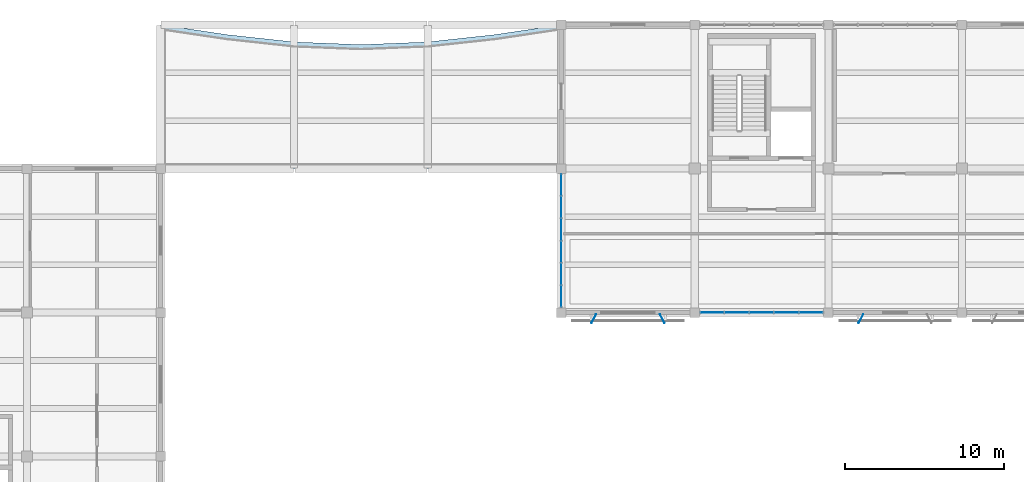
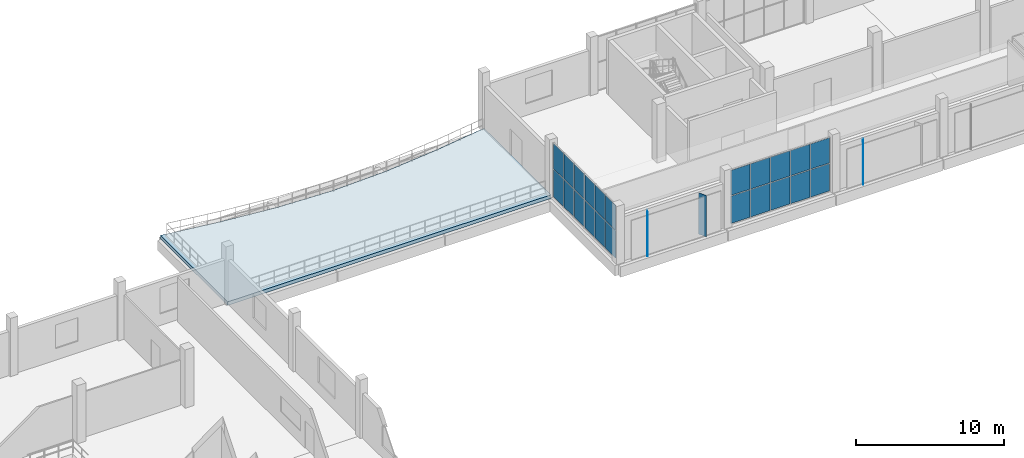
# One storey, part 50 of 80: 25 plates, 1 slab, 2 elements without a shape of their own.
"""IFC4 building model written with IfcOpenShell, lengths in metres."""

from ifc_helpers import new_model, si_unit, direction, frame, origin, origin_2d, place, context, subcontext, project, spatial, polyline, rectangle, outline, extrude, material, layer, layer_set, type_object, element, aggregate, save


model = new_model("IFC4")

# Units and contexts
model_context = context("Model", 3, precision=1e-05, world=origin(), true_north=direction((0.0, 1.0)))
body_context = subcontext(model_context, "Body", "Model", "MODEL_VIEW")
ifc_project = project(units=[si_unit("LENGTHUNIT", "METRE"), si_unit("AREAUNIT", "SQUARE_METRE"), si_unit("VOLUMEUNIT", "CUBIC_METRE"), si_unit("PLANEANGLEUNIT", "RADIAN"), si_unit("MASSUNIT", "GRAM", prefix="KILO")], contexts=[model_context])

# Site, building, storey
site_placement = place(None, origin())
site = spatial("IfcSite", under=ifc_project, at=site_placement, CompositionType="ELEMENT")
building_placement = place(site_placement, origin())
building = spatial("IfcBuilding", under=site, at=building_placement, Name="Khurvash Pelagic Aquarium", CompositionType="ELEMENT")
storey_placement = place(building_placement, frame((0.0, 0.0, 10.800048828125)))
storey = spatial("IfcBuildingStorey", under=building, at=storey_placement, Name="L02", CompositionType="ELEMENT", Elevation=10.800048828125)

# Curtain wall, plates
ifc_material_1 = material(Name="Anodised aluminium and low-E laminated glass", Category="aluminium")
curtain_wall_type_1 = type_object("IfcCurtainWallType", Name="CW-03", PredefinedType="USERDEFINED", material=ifc_material_1)
curtain_wall_1_placement = place(storey_placement, origin())
curtain_wall_1 = element("IfcCurtainWall", 1, at=curtain_wall_1_placement, inside=storey, type_object=curtain_wall_type_1, Name="L02 Facade Unitised Curtain Wall CW-03 0169", ObjectType="UNITISED CURTAIN WALL", PredefinedType="USERDEFINED")
ifc_material_2 = material(Name="Low-E laminated double glazing", Category="glass")
ifc_layer_1 = layer(ifc_material_2, 0.028076171875)
ifc_layer_set_1 = layer_set([ifc_layer_1], Name="Low-E laminated double glazing")
plate_type_1 = type_object("IfcPlateType", Name="CG-03", PredefinedType="CURTAIN_PANEL", material=ifc_layer_set_1)
plate_1_placement = place(storey_placement, frame((58.800048828125, 92.07666015625, 0.06005859375), z_axis=(0.0, 0.0, 1.0), x_axis=(0.0, -1.0, 0.0)))
plate_1 = element("IfcPlate", 2, at=plate_1_placement, type_object=plate_type_1, Name="CW-03 panel 1.1", PredefinedType="CURTAIN_PANEL", context=body_context, shape_type="SweptSolid", body=[
    extrude(rectangle(XDim=1.316650390625, YDim=0.028076171875, at=origin_2d()), origin(), (0.0, 0.0, 1.0), 2.25),
])
plate_2_placement = place(storey_placement, frame((58.800048828125, 92.07666015625, 2.3701171875), z_axis=(0.0, 0.0, 1.0), x_axis=(0.0, -1.0, 0.0)))
plate_2 = element("IfcPlate", 3, at=plate_2_placement, type_object=plate_type_1, Name="CW-03 panel 1.2", PredefinedType="CURTAIN_PANEL", context=body_context, shape_type="SweptSolid", body=[
    extrude(rectangle(XDim=1.316650390625, YDim=0.028076171875, at=origin_2d()), origin(), (0.0, 0.0, 1.0), 2.070068359375),
])
plate_3_placement = place(storey_placement, frame((58.800048828125, 90.68505859375, 0.06005859375), z_axis=(0.0, 0.0, 1.0), x_axis=(0.0, -1.0, 0.0)))
plate_3 = element("IfcPlate", 4, at=plate_3_placement, type_object=plate_type_1, Name="CW-03 panel 2.1", PredefinedType="CURTAIN_PANEL", context=body_context, shape_type="SweptSolid", body=[
    extrude(rectangle(XDim=1.3466796875, YDim=0.028076171875, at=origin_2d()), origin(), (0.0, 0.0, 1.0), 2.25),
])
plate_4_placement = place(storey_placement, frame((58.800048828125, 90.68505859375, 2.3701171875), z_axis=(0.0, 0.0, 1.0), x_axis=(0.0, -1.0, 0.0)))
plate_4 = element("IfcPlate", 5, at=plate_4_placement, type_object=plate_type_1, Name="CW-03 panel 2.2", PredefinedType="CURTAIN_PANEL", context=body_context, shape_type="SweptSolid", body=[
    extrude(rectangle(XDim=1.3466796875, YDim=0.028076171875, at=origin_2d()), origin(), (0.0, 0.0, 1.0), 2.070068359375),
])
plate_5_placement = place(storey_placement, frame((58.800048828125, 89.2783203125, 0.06005859375), z_axis=(0.0, 0.0, 1.0), x_axis=(0.0, -1.0, 0.0)))
plate_5 = element("IfcPlate", 6, at=plate_5_placement, type_object=plate_type_1, Name="CW-03 panel 3.1", PredefinedType="CURTAIN_PANEL", context=body_context, shape_type="SweptSolid", body=[
    extrude(rectangle(XDim=1.3466796875, YDim=0.028076171875, at=origin_2d()), origin(), (0.0, 0.0, 1.0), 2.25),
])
plate_6_placement = place(storey_placement, frame((58.800048828125, 89.2783203125, 2.3701171875), z_axis=(0.0, 0.0, 1.0), x_axis=(0.0, -1.0, 0.0)))
plate_6 = element("IfcPlate", 7, at=plate_6_placement, type_object=plate_type_1, Name="CW-03 panel 3.2", PredefinedType="CURTAIN_PANEL", context=body_context, shape_type="SweptSolid", body=[
    extrude(rectangle(XDim=1.3466796875, YDim=0.028076171875, at=origin_2d()), origin(), (0.0, 0.0, 1.0), 2.070068359375),
])
plate_7_placement = place(storey_placement, frame((58.800048828125, 87.87158203125, 0.06005859375), z_axis=(0.0, 0.0, 1.0), x_axis=(0.0, -1.0, 0.0)))
plate_7 = element("IfcPlate", 8, at=plate_7_placement, type_object=plate_type_1, Name="CW-03 panel 4.1", PredefinedType="CURTAIN_PANEL", context=body_context, shape_type="SweptSolid", body=[
    extrude(rectangle(XDim=1.3466796875, YDim=0.028076171875, at=origin_2d()), origin(), (0.0, 0.0, 1.0), 2.25),
])
plate_8_placement = place(storey_placement, frame((58.800048828125, 87.87158203125, 2.3701171875), z_axis=(0.0, 0.0, 1.0), x_axis=(0.0, -1.0, 0.0)))
plate_8 = element("IfcPlate", 9, at=plate_8_placement, type_object=plate_type_1, Name="CW-03 panel 4.2", PredefinedType="CURTAIN_PANEL", context=body_context, shape_type="SweptSolid", body=[
    extrude(rectangle(XDim=1.3466796875, YDim=0.028076171875, at=origin_2d()), origin(), (0.0, 0.0, 1.0), 2.070068359375),
])
plate_9_placement = place(storey_placement, frame((58.800048828125, 86.465087890625, 0.06005859375), z_axis=(0.0, 0.0, 1.0), x_axis=(0.0, -1.0, 0.0)))
plate_9 = element("IfcPlate", 10, at=plate_9_placement, type_object=plate_type_1, Name="CW-03 panel 5.1", PredefinedType="CURTAIN_PANEL", context=body_context, shape_type="SweptSolid", body=[
    extrude(rectangle(XDim=1.3466796875, YDim=0.028076171875, at=origin_2d()), origin(), (0.0, 0.0, 1.0), 2.25),
])
plate_10_placement = place(storey_placement, frame((58.800048828125, 86.465087890625, 2.3701171875), z_axis=(0.0, 0.0, 1.0), x_axis=(0.0, -1.0, 0.0)))
plate_10 = element("IfcPlate", 11, at=plate_10_placement, type_object=plate_type_1, Name="CW-03 panel 5.2", PredefinedType="CURTAIN_PANEL", context=body_context, shape_type="SweptSolid", body=[
    extrude(rectangle(XDim=1.3466796875, YDim=0.028076171875, at=origin_2d()), origin(), (0.0, 0.0, 1.0), 2.070068359375),
])
plate_11_placement = place(storey_placement, frame((58.800048828125, 85.0732421875, 0.06005859375), z_axis=(0.0, 0.0, 1.0), x_axis=(0.0, -1.0, 0.0)))
plate_11 = element("IfcPlate", 12, at=plate_11_placement, type_object=plate_type_1, Name="CW-03 panel 6.1", PredefinedType="CURTAIN_PANEL", context=body_context, shape_type="SweptSolid", body=[
    extrude(rectangle(XDim=1.316650390625, YDim=0.028076171875, at=origin_2d()), origin(), (0.0, 0.0, 1.0), 2.25),
])
plate_12_placement = place(storey_placement, frame((58.800048828125, 85.0732421875, 2.3701171875), z_axis=(0.0, 0.0, 1.0), x_axis=(0.0, -1.0, 0.0)))
plate_12 = element("IfcPlate", 13, at=plate_12_placement, type_object=plate_type_1, Name="CW-03 panel 6.2", PredefinedType="CURTAIN_PANEL", context=body_context, shape_type="SweptSolid", body=[
    extrude(rectangle(XDim=1.316650390625, YDim=0.028076171875, at=origin_2d()), origin(), (0.0, 0.0, 1.0), 2.070068359375),
])
aggregate(curtain_wall_1, [plate_1, plate_2, plate_3, plate_4, plate_5, plate_6, plate_7, plate_8, plate_9, plate_10, plate_11, plate_12])

curtain_wall_type_2 = type_object("IfcCurtainWallType", Name="CW-06", PredefinedType="USERDEFINED", material=ifc_material_1)
curtain_wall_2_placement = place(storey_placement, origin())
curtain_wall_2 = element("IfcCurtainWall", 14, at=curtain_wall_2_placement, inside=storey, type_object=curtain_wall_type_2, Name="L02 Facade Unitised Curtain Wall CW-06 0170", ObjectType="UNITISED CURTAIN WALL", PredefinedType="USERDEFINED")
ifc_layer_2 = layer(ifc_material_2, 0.030029296875)
ifc_layer_set_2 = layer_set([ifc_layer_2], Name="Low-E laminated double glazing")
plate_type_2 = type_object("IfcPlateType", Name="CG-06", PredefinedType="CURTAIN_PANEL", material=ifc_layer_set_2)
plate_13_placement = place(storey_placement, frame((68.299072265625, 84.050048828125, 0.06005859375), z_axis=(0.0, 0.0, 1.0), x_axis=(1.0, 0.0, 0.0)))
plate_13 = element("IfcPlate", 15, at=plate_13_placement, type_object=plate_type_2, Name="CW-06 panel 1.1", PredefinedType="CURTAIN_PANEL", context=body_context, shape_type="SweptSolid", body=[
    extrude(rectangle(XDim=1.468017578125, YDim=0.030029296875, at=origin_2d()), origin(), (0.0, 0.0, 1.0), 2.25),
])
plate_14_placement = place(storey_placement, frame((68.299072265625, 84.050048828125, 2.3701171875), z_axis=(0.0, 0.0, 1.0), x_axis=(1.0, 0.0, 0.0)))
plate_14 = element("IfcPlate", 16, at=plate_14_placement, type_object=plate_type_2, Name="CW-06 panel 1.2", PredefinedType="CURTAIN_PANEL", context=body_context, shape_type="SweptSolid", body=[
    extrude(rectangle(XDim=1.468017578125, YDim=0.030029296875, at=origin_2d()), origin(), (0.0, 0.0, 1.0), 2.070068359375),
])
plate_15_placement = place(storey_placement, frame((69.842041015625, 84.050048828125, 0.06005859375), z_axis=(0.0, 0.0, 1.0), x_axis=(1.0, 0.0, 0.0)))
plate_15 = element("IfcPlate", 17, at=plate_15_placement, type_object=plate_type_2, Name="CW-06 panel 2.1", PredefinedType="CURTAIN_PANEL", context=body_context, shape_type="SweptSolid", body=[
    extrude(rectangle(XDim=1.498046875, YDim=0.030029296875, at=origin_2d()), origin(), (0.0, 0.0, 1.0), 2.25),
])
plate_16_placement = place(storey_placement, frame((69.842041015625, 84.050048828125, 2.3701171875), z_axis=(0.0, 0.0, 1.0), x_axis=(1.0, 0.0, 0.0)))
plate_16 = element("IfcPlate", 18, at=plate_16_placement, type_object=plate_type_2, Name="CW-06 panel 2.2", PredefinedType="CURTAIN_PANEL", context=body_context, shape_type="SweptSolid", body=[
    extrude(rectangle(XDim=1.498046875, YDim=0.030029296875, at=origin_2d()), origin(), (0.0, 0.0, 1.0), 2.070068359375),
])
plate_17_placement = place(storey_placement, frame((71.39990234375, 84.050048828125, 0.06005859375), z_axis=(0.0, 0.0, 1.0), x_axis=(1.0, 0.0, 0.0)))
plate_17 = element("IfcPlate", 19, at=plate_17_placement, type_object=plate_type_2, Name="CW-06 panel 3.1", PredefinedType="CURTAIN_PANEL", context=body_context, shape_type="SweptSolid", body=[
    extrude(rectangle(XDim=1.498046875, YDim=0.030029296875, at=origin_2d()), origin(), (0.0, 0.0, 1.0), 2.25),
])
plate_18_placement = place(storey_placement, frame((71.39990234375, 84.050048828125, 2.3701171875), z_axis=(0.0, 0.0, 1.0), x_axis=(1.0, 0.0, 0.0)))
plate_18 = element("IfcPlate", 20, at=plate_18_placement, type_object=plate_type_2, Name="CW-06 panel 3.2", PredefinedType="CURTAIN_PANEL", context=body_context, shape_type="SweptSolid", body=[
    extrude(rectangle(XDim=1.498046875, YDim=0.030029296875, at=origin_2d()), origin(), (0.0, 0.0, 1.0), 2.070068359375),
])
plate_19_placement = place(storey_placement, frame((72.9580078125, 84.050048828125, 0.06005859375), z_axis=(0.0, 0.0, 1.0), x_axis=(1.0, 0.0, 0.0)))
plate_19 = element("IfcPlate", 21, at=plate_19_placement, type_object=plate_type_2, Name="CW-06 panel 4.1", PredefinedType="CURTAIN_PANEL", context=body_context, shape_type="SweptSolid", body=[
    extrude(rectangle(XDim=1.498046875, YDim=0.030029296875, at=origin_2d()), origin(), (0.0, 0.0, 1.0), 2.25),
])
plate_20_placement = place(storey_placement, frame((72.9580078125, 84.050048828125, 2.3701171875), z_axis=(0.0, 0.0, 1.0), x_axis=(1.0, 0.0, 0.0)))
plate_20 = element("IfcPlate", 22, at=plate_20_placement, type_object=plate_type_2, Name="CW-06 panel 4.2", PredefinedType="CURTAIN_PANEL", context=body_context, shape_type="SweptSolid", body=[
    extrude(rectangle(XDim=1.498046875, YDim=0.030029296875, at=origin_2d()), origin(), (0.0, 0.0, 1.0), 2.070068359375),
])
plate_21_placement = place(storey_placement, frame((74.5009765625, 84.050048828125, 0.06005859375), z_axis=(0.0, 0.0, 1.0), x_axis=(1.0, 0.0, 0.0)))
plate_21 = element("IfcPlate", 23, at=plate_21_placement, type_object=plate_type_2, Name="CW-06 panel 5.1", PredefinedType="CURTAIN_PANEL", context=body_context, shape_type="SweptSolid", body=[
    extrude(rectangle(XDim=1.468017578125, YDim=0.030029296875, at=origin_2d()), origin(), (0.0, 0.0, 1.0), 2.25),
])
plate_22_placement = place(storey_placement, frame((74.5009765625, 84.050048828125, 2.3701171875), z_axis=(0.0, 0.0, 1.0), x_axis=(1.0, 0.0, 0.0)))
plate_22 = element("IfcPlate", 24, at=plate_22_placement, type_object=plate_type_2, Name="CW-06 panel 5.2", PredefinedType="CURTAIN_PANEL", context=body_context, shape_type="SweptSolid", body=[
    extrude(rectangle(XDim=1.468017578125, YDim=0.030029296875, at=origin_2d()), origin(), (0.0, 0.0, 1.0), 2.070068359375),
])
aggregate(curtain_wall_2, [plate_13, plate_14, plate_15, plate_16, plate_17, plate_18, plate_19, plate_20, plate_21, plate_22])

# Plates
ifc_material_3 = material(Name="Anodised aluminium AW-5005", Category="aluminium")
ifc_layer_3 = layer(ifc_material_3, 0.02392578125)
ifc_layer_set_3 = layer_set([ifc_layer_3], Name="Anodised aluminium AW-5005")
plate_type_3 = type_object("IfcPlateType", Name="SP-01", PredefinedType="SHEET", material=ifc_layer_set_3)
for number, where, z_axis, x_axis, name in (
    (25, (60.85009765625, 83.672119140625, 0.14990234375), (0.0, 0.0, 1.0), (-0.469471562786, -0.882947592859, 0.0), "L02 Parametric Folded Aluminium Solar Screen Fin SP-01 0033"),
    (26, (65.14990234375, 83.672119140625, 0.14990234375), (0.0, 0.0, 1.0), (0.469471562786, -0.882947592859, 0.0), "L02 Parametric Folded Aluminium Solar Screen Fin SP-01 0034"),
    (27, (77.64990234375, 83.672119140625, 0.14990234375), (0.0, 0.0, 1.0), (-0.469471562786, -0.882947592859, 0.0), "L02 Parametric Folded Aluminium Solar Screen Fin SP-01 0035"),
):
    element("IfcPlate", number, at=place(storey_placement, frame(where, z_axis=z_axis, x_axis=x_axis)), inside=storey, type_object=plate_type_3, Name=name, PredefinedType="SHEET", context=body_context, shape_type="SweptSolid", body=[
        extrude(rectangle(XDim=0.6201171875, YDim=0.02392578125, at=origin_2d()), origin(), (0.0, 0.0, 1.0), 3.39990234375),
    ])

# Slab
ifc_material_4 = material(Name="Water-retaining concrete C40/50", Category="concrete")
ifc_layer_4 = layer(ifc_material_4, 0.2900390625)
ifc_layer_set_4 = layer_set([ifc_layer_4], Name="Water-retaining concrete C40/50")
slab_type = type_object("IfcSlabType", Name="TR-290", PredefinedType="FLOOR", material=ifc_layer_set_4)
slab_placement = place(storey_placement, frame((0.0, 0.0, -0.2900390625)))
element("IfcSlab", 28, at=slab_placement, inside=storey, type_object=slab_type, Name="L02 Planted Monsoon Terrace Slab TR-290 TERR_L02_NW", PredefinedType="FLOOR", context=body_context, shape_type="SweptSolid", body=[
    extrude(outline(polyline([(33.60009765625, 93.10009765625), (58.800048828125, 93.10009765625), (58.800048828125, 102.14990234375), (54.60009765625, 101.52490234375), (50.39990234375, 101.06689453125), (46.199951171875, 100.89990234375), (42.0, 101.06689453125), (37.800048828125, 101.52490234375), (33.60009765625, 102.14990234375), (33.60009765625, 93.10009765625)])), origin(), (0.0, 0.0, 1.0), 0.2900390625),
])

save(model, "model.ifc")
